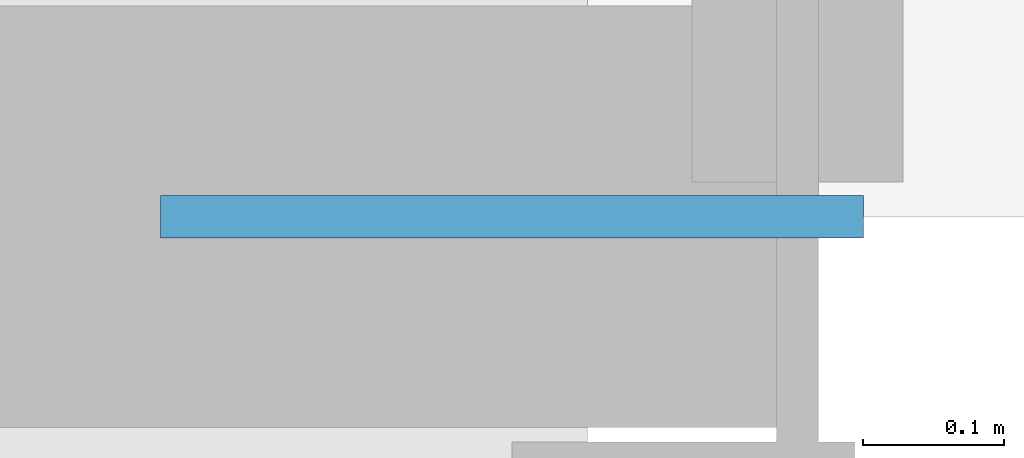
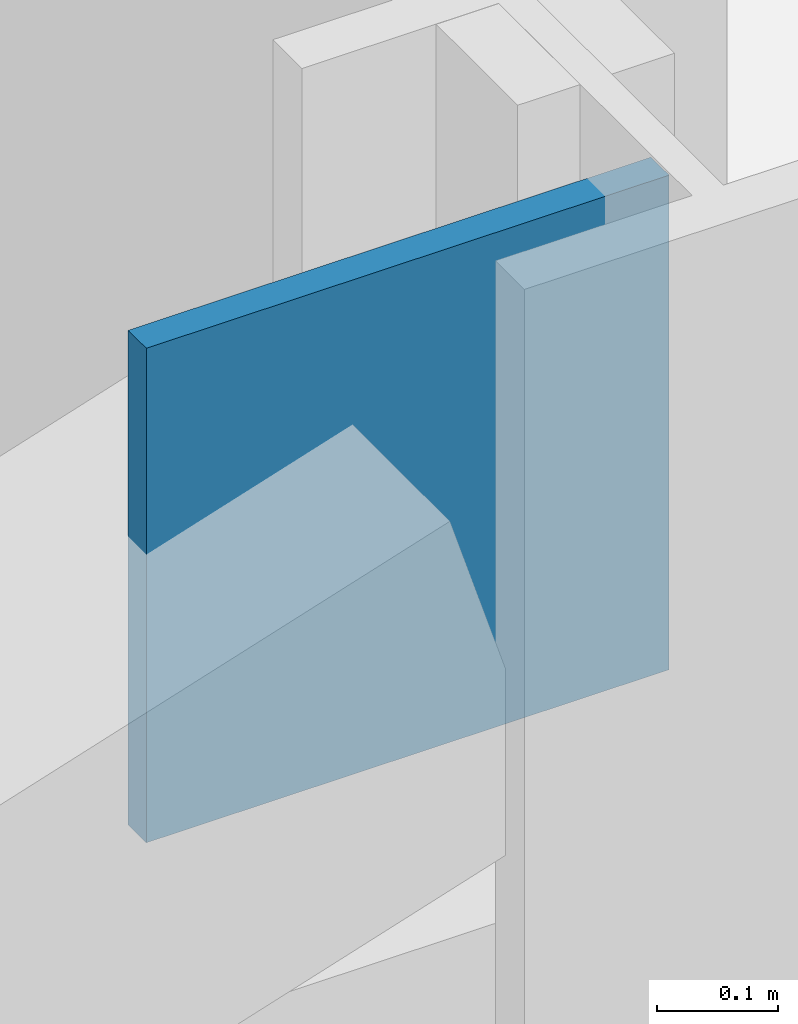
# One storey, part 18 of 27: 1 discrete accessory.
"""IFC4 building model written with IfcOpenShell, lengths in metres."""

from ifc_helpers import new_model, si_unit, direction, frame, origin, origin_2d, place, context, subcontext, project, spatial, rectangle, extrude, material, layer, layer_set, type_object, element, save


model = new_model("IFC4")

# Units and contexts
model_context = context("Model", 3, precision=1e-05, world=origin(), true_north=direction((0.0, 1.0)))
body_context = subcontext(model_context, "Body", "Model", "MODEL_VIEW")
ifc_project = project(units=[si_unit("LENGTHUNIT", "METRE"), si_unit("AREAUNIT", "SQUARE_METRE"), si_unit("VOLUMEUNIT", "CUBIC_METRE"), si_unit("PLANEANGLEUNIT", "RADIAN"), si_unit("MASSUNIT", "GRAM", prefix="KILO")], contexts=[model_context])

# Site, building, storey
site_placement = place(None, origin())
site = spatial("IfcSite", under=ifc_project, at=site_placement, CompositionType="ELEMENT")
building_placement = place(site_placement, origin())
building = spatial("IfcBuilding", under=site, at=building_placement, Name="Mahtab Terrace Research Tower", CompositionType="ELEMENT")
storey_placement = place(building_placement, frame((0.0, 0.0, 166.800048828125)))
storey = spatial("IfcBuildingStorey", under=building, at=storey_placement, Name="L39", CompositionType="ELEMENT", Elevation=166.800048828125)

# Discrete accessory
ifc_material = material(Name="Steel ASTM A992 Gr 50", Category="steel")
ifc_layer = layer(ifc_material, 0.030029296875)
ifc_layer_set = layer_set([ifc_layer], Name="Gusset plate 500x500x30")
discrete_accessory_type = type_object("IfcDiscreteAccessoryType", Name="Gusset plate 500x500x30", PredefinedType="USERDEFINED", material=ifc_layer_set)
discrete_accessory_placement = place(storey_placement, frame((5.796875, -23.0, 2.870849609375), z_axis=(0.0, 0.0, 1.0), x_axis=(1.0, 0.0, 0.0)))
element("IfcDiscreteAccessory", 1, at=discrete_accessory_placement, inside=storey, type_object=discrete_accessory_type, Name="Gusset plate", ObjectType="GUSSET PLATE", PredefinedType="USERDEFINED", context=body_context, shape_type="SweptSolid", body=[
    extrude(rectangle(XDim=0.5, YDim=0.030029296875, at=origin_2d()), origin(), (0.0, 0.0, 1.0), 0.5),
])

save(model, "model.ifc")
